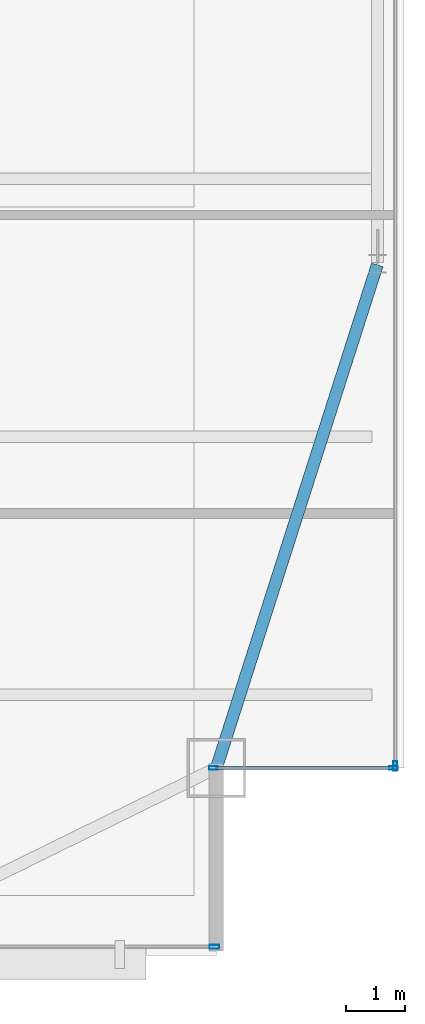
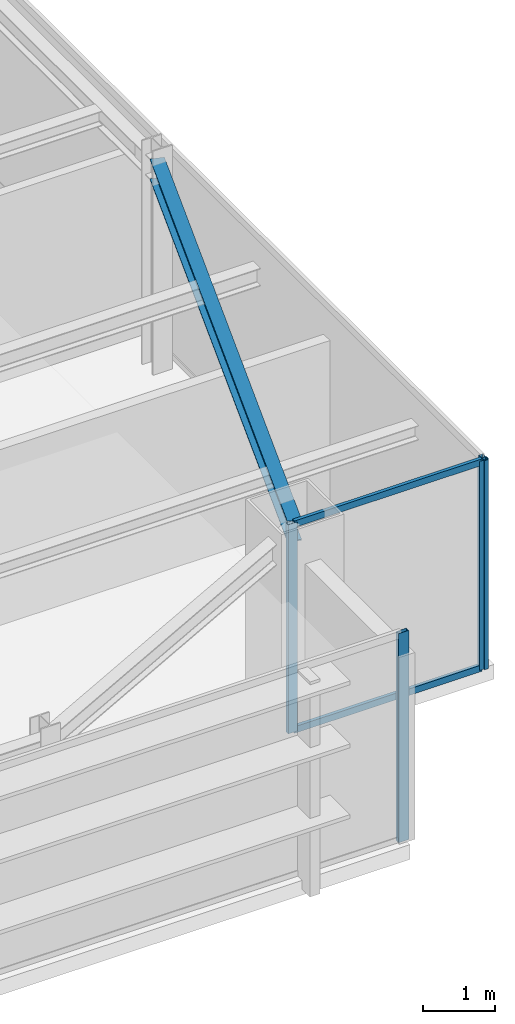
# One storey, part 14 of 24: 6 members, 1 beam, 3 elements without a shape of their own.
"""IFC4 building model written with IfcOpenShell, lengths in metres."""

from ifc_helpers import new_model, si_unit, direction, frame, origin, origin_2d, place, context, subcontext, project, spatial, hollow_rectangle, i_section, extrude, source, transform, mapped, material, layer, layer_set, material_profile, profile_set, type_object, type_shapes, element, aggregate, save


model = new_model("IFC4")

# Units and contexts
model_context = context("Model", 3, precision=1e-05, world=origin(), true_north=direction((0.0, 1.0)))
body_context = subcontext(model_context, "Body", "Model", "MODEL_VIEW")
ifc_project = project(units=[si_unit("LENGTHUNIT", "METRE"), si_unit("AREAUNIT", "SQUARE_METRE"), si_unit("VOLUMEUNIT", "CUBIC_METRE"), si_unit("PLANEANGLEUNIT", "RADIAN"), si_unit("MASSUNIT", "GRAM", prefix="KILO")], contexts=[model_context])

# Site, building, storey
site_placement = place(None, origin())
site = spatial("IfcSite", under=ifc_project, at=site_placement, CompositionType="ELEMENT")
building_placement = place(site_placement, origin())
building = spatial("IfcBuilding", under=site, at=building_placement, Name="Varnel Quay Broadcast Tower", CompositionType="ELEMENT")
storey_placement = place(building_placement, frame((0.0, 0.0, 292.60009765625)))
storey = spatial("IfcBuildingStorey", under=building, at=storey_placement, Name="L73", CompositionType="ELEMENT", Elevation=292.60009765625)

# Beam
ifc_material_1 = material(Name="Structural Steel CSA G40.21 350W", Category="steel")
ifc_material_profile_1 = material_profile(ifc_material_1, i_section(OverallWidth=0.205078125, OverallDepth=0.35400390625, WebThickness=0.009521484375, FlangeThickness=0.016845703125, FilletRadius=0.012939453125, at=origin_2d()), Name="W360X79")
ifc_profile_set_1 = profile_set([ifc_material_profile_1], Name="Structural Steel CSA G40.21 350W")
beam_type = type_object("IfcBeamType", Name="Beam_W360X79", PredefinedType="SPANDREL", material=ifc_profile_set_1)
shared_shape_1 = source(origin(), body_context, "Body", "SweptSolid", [
    extrude(i_section(OverallWidth=0.205078125, OverallDepth=0.35400390625, WebThickness=0.009521484375, FlangeThickness=0.016845703125, FilletRadius=0.012939453125, at=origin_2d()), origin(), (0.0, 0.0, 1.0), 8.989013671875),
])
type_shapes(beam_type, [shared_shape_1])
beam_placement = place(storey_placement, frame((52.80615234375, 16.4189453125, 3.372802734375), z_axis=(0.304568770162, 0.952490348635, 0.0), x_axis=(-0.952490348635, 0.304568770162, 0.0)))
element("IfcBeam", 1, at=beam_placement, inside=storey, type_object=beam_type, Name="L73 East Spandrel MC-SE-TC-E1", PredefinedType="SPANDREL", context=body_context, shape_type="MappedRepresentation", body=[
    mapped(shared_shape_1, transform((0.0, 0.0, 0.0), x_axis=(1.0, 0.0, 0.0), y_axis=(0.0, 1.0, 0.0), z_axis=(0.0, 0.0, 1.0), scale=1.0)),
])

# Curtain wall, members
ifc_material_2 = material(Name="Anodised Bronze Aluminium 6063-T6", Category="aluminium")
ifc_layer_1 = layer(ifc_material_2, 0.18994140625, Name="Anodised Bronze Aluminium 6063-T6")
ifc_layer_set_1 = layer_set([ifc_layer_1], Name="Anodised Bronze Aluminium 6063-T6")
curtain_wall_type_1 = type_object("IfcCurtainWallType", Name="CW_NotchCorner", PredefinedType="NOTDEFINED", material=ifc_layer_set_1)
curtain_wall_1_placement = place(storey_placement, origin())
curtain_wall_1 = element("IfcCurtainWall", 2, at=curtain_wall_1_placement, inside=storey, type_object=curtain_wall_type_1, Name="L73 SE Notch Curtain Wall", PredefinedType="NOTDEFINED")
ifc_material_profile_2 = material_profile(ifc_material_2, hollow_rectangle(XDim=0.06005859375, YDim=0.14501953125, WallThickness=0.00341796875, at=origin_2d()), Name="ALU60X145X3.5")
ifc_profile_set_2 = profile_set([ifc_material_profile_2], Name="Anodised Bronze Aluminium 6063-T6")
member_type_1 = type_object("IfcMemberType", Name="Mull_CWS-04", PredefinedType="MULLION", material=ifc_profile_set_2)
shared_shape_2 = source(origin(), body_context, "Body", "SweptSolid", [
    extrude(hollow_rectangle(XDim=0.06005859375, YDim=0.14501953125, WallThickness=0.00341796875, at=origin_2d()), origin(), (0.0, 0.0, 1.0), 3.5498046875),
])
type_shapes(member_type_1, [shared_shape_2])
member_1_placement = place(storey_placement, frame((52.75, 16.39990234375, 0.0), z_axis=(0.0, 0.0, 1.0), x_axis=(0.0, 1.0, 0.0)))
member_1 = element("IfcMember", 3, at=member_1_placement, type_object=member_type_1, Name="CWS-04 mullion 1", PredefinedType="MULLION", context=body_context, shape_type="MappedRepresentation", body=[
    mapped(shared_shape_2, transform((0.0, 0.0, 0.0), x_axis=(1.0, 0.0, 0.0), y_axis=(0.0, 1.0, 0.0), z_axis=(0.0, 0.0, 1.0), scale=1.0)),
])
member_2_placement = place(storey_placement, frame((55.820068359375, 16.39990234375, 0.0), z_axis=(0.0, 0.0, 1.0), x_axis=(0.0, 1.0, 0.0)))
member_2 = element("IfcMember", 4, at=member_2_placement, type_object=member_type_1, Name="CWS-04 mullion 2", PredefinedType="MULLION", context=body_context, shape_type="MappedRepresentation", body=[
    mapped(shared_shape_2, transform((0.0, 0.0, 0.0), x_axis=(1.0, 0.0, 0.0), y_axis=(0.0, 1.0, 0.0), z_axis=(0.0, 0.0, 1.0), scale=1.0)),
])

# Curtain wall, member
ifc_layer_2 = layer(ifc_material_2, 0.18994140625, Name="Anodised Bronze Aluminium 6063-T6")
ifc_layer_set_2 = layer_set([ifc_layer_2], Name="Anodised Bronze Aluminium 6063-T6")
curtain_wall_type_2 = type_object("IfcCurtainWallType", Name="CW_UpperTower", PredefinedType="NOTDEFINED", material=ifc_layer_set_2)
curtain_wall_2_placement = place(storey_placement, origin())
curtain_wall_2 = element("IfcCurtainWall", 5, at=curtain_wall_2_placement, inside=storey, type_object=curtain_wall_type_2, Name="L73 South Unitised Curtain Wall 1", PredefinedType="NOTDEFINED")
ifc_material_profile_3 = material_profile(ifc_material_2, hollow_rectangle(XDim=0.06494140625, YDim=0.1650390625, WallThickness=0.00341796875, at=origin_2d()), Name="ALU65X165X3.5")
ifc_profile_set_3 = profile_set([ifc_material_profile_3], Name="Anodised Bronze Aluminium 6063-T6")
member_type_2 = type_object("IfcMemberType", Name="Mull_CWS-03", PredefinedType="MULLION", material=ifc_profile_set_3)
shared_shape_3 = source(origin(), body_context, "Body", "SweptSolid", [
    extrude(hollow_rectangle(XDim=0.06494140625, YDim=0.1650390625, WallThickness=0.00341796875, at=origin_2d()), origin(), (0.0, 0.0, 1.0), 3.5498046875),
])
type_shapes(member_type_2, [shared_shape_3])
member_3_placement = place(storey_placement, frame((52.767578125, 13.35009765625, 0.0), z_axis=(0.0, 0.0, 1.0), x_axis=(0.0, 1.0, 0.0)))
member_3 = element("IfcMember", 6, at=member_3_placement, type_object=member_type_2, Name="CWS-03 mullion 4", PredefinedType="MULLION", context=body_context, shape_type="MappedRepresentation", body=[
    mapped(shared_shape_3, transform((0.0, 0.0, 0.0), x_axis=(1.0, 0.0, 0.0), y_axis=(0.0, 1.0, 0.0), z_axis=(0.0, 0.0, 1.0), scale=1.0)),
])
aggregate(curtain_wall_2, [member_3])

curtain_wall_3_placement = place(storey_placement, origin())
curtain_wall_3 = element("IfcCurtainWall", 7, at=curtain_wall_3_placement, inside=storey, type_object=curtain_wall_type_2, Name="L73 East Unitised Curtain Wall", PredefinedType="NOTDEFINED")
member_4_placement = place(storey_placement, frame((55.85009765625, 16.4326171875, 0.0), z_axis=(0.0, 0.0, 1.0), x_axis=(-1.0, 0.0, 0.0)))
member_4 = element("IfcMember", 8, at=member_4_placement, type_object=member_type_2, Name="CWS-03 mullion 1", PredefinedType="MULLION", context=body_context, shape_type="MappedRepresentation", body=[
    mapped(shared_shape_3, transform((0.0, 0.0, 0.0), x_axis=(1.0, 0.0, 0.0), y_axis=(0.0, 1.0, 0.0), z_axis=(0.0, 0.0, 1.0), scale=1.0)),
])
aggregate(curtain_wall_3, [member_4])

# Member
ifc_material_profile_4 = material_profile(ifc_material_2, hollow_rectangle(XDim=0.054931640625, YDim=0.110107421875, WallThickness=0.0029296875, at=origin_2d()), Name="ALU55X110X3")
ifc_profile_set_4 = profile_set([ifc_material_profile_4], Name="Anodised Bronze Aluminium 6063-T6")
member_type_3 = type_object("IfcMemberType", Name="Tran_CWS-04", PredefinedType="USERDEFINED", material=ifc_profile_set_4)
shared_shape_4 = source(origin(), body_context, "Body", "SweptSolid", [
    extrude(hollow_rectangle(XDim=0.054931640625, YDim=0.110107421875, WallThickness=0.0029296875, at=origin_2d()), origin(), (0.0, 0.0, 1.0), 3.010009765625),
])
type_shapes(member_type_3, [shared_shape_4])
member_5_placement = place(storey_placement, frame((52.780029296875, 16.39990234375, 0.02734375), z_axis=(1.0, 0.0, 0.0), x_axis=(0.0, 1.0, 0.0)))
member_5 = element("IfcMember", 9, at=member_5_placement, type_object=member_type_3, Name="CWS-04 transom 1.1", ObjectType="TRANSOM", PredefinedType="USERDEFINED", context=body_context, shape_type="MappedRepresentation", body=[
    mapped(shared_shape_4, transform((0.0, 0.0, 0.0), x_axis=(1.0, 0.0, 0.0), y_axis=(0.0, 1.0, 0.0), z_axis=(0.0, 0.0, 1.0), scale=1.0)),
])

member_6_placement = place(storey_placement, frame((52.780029296875, 16.39990234375, 3.5224609375), z_axis=(1.0, 0.0, 0.0), x_axis=(0.0, 1.0, 0.0)))
member_6 = element("IfcMember", 10, at=member_6_placement, type_object=member_type_3, Name="CWS-04 transom 1.2", ObjectType="TRANSOM", PredefinedType="USERDEFINED", context=body_context, shape_type="MappedRepresentation", body=[
    mapped(shared_shape_4, transform((0.0, 0.0, 0.0), x_axis=(1.0, 0.0, 0.0), y_axis=(0.0, 1.0, 0.0), z_axis=(0.0, 0.0, 1.0), scale=1.0)),
])

aggregate(curtain_wall_1, [member_1, member_2, member_5, member_6])

save(model, "model.ifc")
